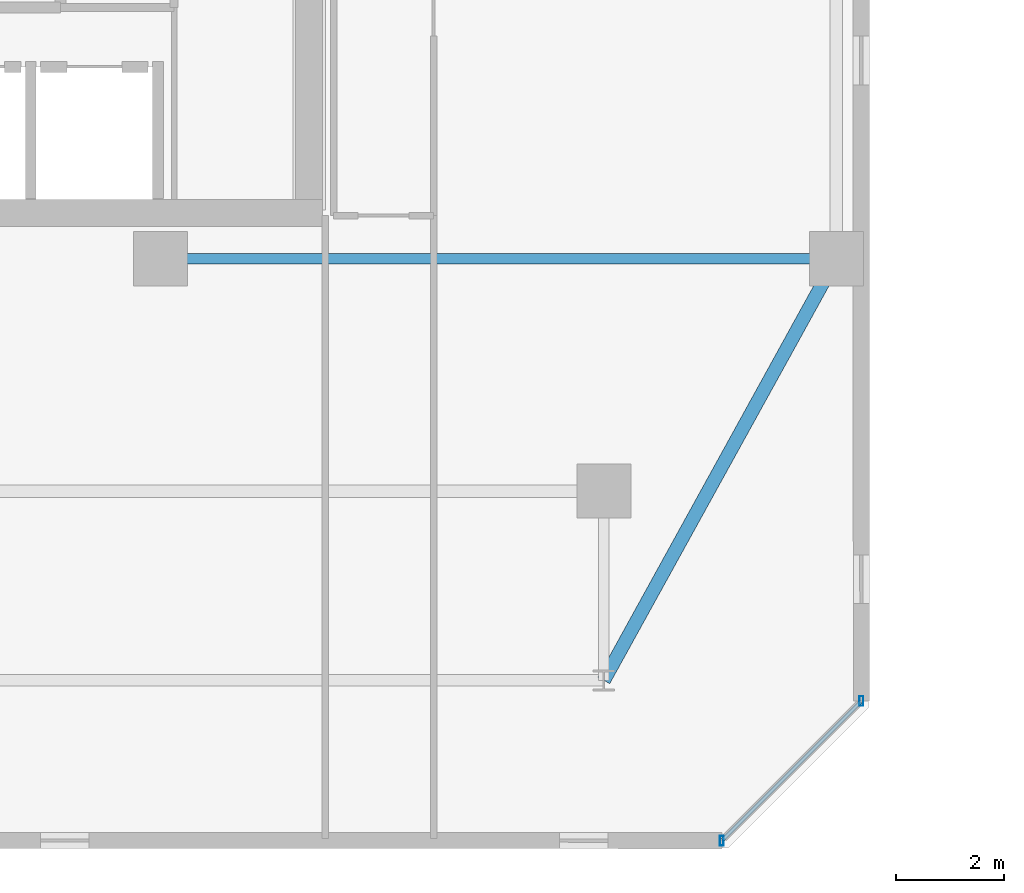
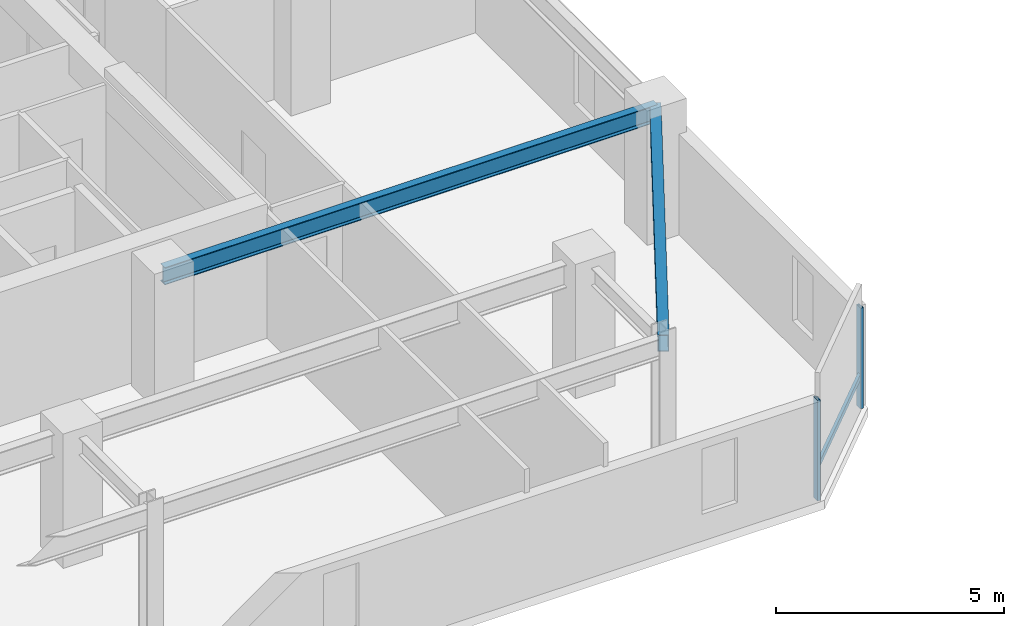
# One storey, part 5 of 32: 3 members, 2 beams, 1 element without a shape of its own.
"""IFC4 building model written with IfcOpenShell, lengths in metres."""

from ifc_helpers import new_model, si_unit, direction, frame, origin, origin_2d, place, context, subcontext, project, spatial, hollow_rectangle, i_section, extrude, material, material_profile, profile_set, type_object, element, aggregate, save


model = new_model("IFC4")

# Units and contexts
model_context = context("Model", 3, precision=1e-05, world=origin(), true_north=direction((0.0, 1.0)))
body_context = subcontext(model_context, "Body", "Model", "MODEL_VIEW")
ifc_project = project(units=[si_unit("LENGTHUNIT", "METRE"), si_unit("AREAUNIT", "SQUARE_METRE"), si_unit("VOLUMEUNIT", "CUBIC_METRE"), si_unit("PLANEANGLEUNIT", "RADIAN"), si_unit("MASSUNIT", "GRAM", prefix="KILO")], contexts=[model_context])

# Site, building, storey
site_placement = place(None, origin())
site = spatial("IfcSite", under=ifc_project, at=site_placement, CompositionType="ELEMENT")
building_placement = place(site_placement, origin())
building = spatial("IfcBuilding", under=site, at=building_placement, Name="Thornwick Lancets Civic Towers", CompositionType="ELEMENT")
storey_placement = place(building_placement, frame((0.0, 0.0, 240.300048828125)))
storey = spatial("IfcBuildingStorey", under=building, at=storey_placement, Name="L64", CompositionType="ELEMENT", Elevation=240.300048828125)

# Beams
ifc_material_1 = material(Name="Steel S355JR", Category="steel")
ifc_material_profile_1 = material_profile(ifc_material_1, i_section(OverallWidth=0.19287109375, OverallDepth=0.46728515625, WebThickness=0.011474609375, FlangeThickness=0.01953125, FilletRadius=0.01025390625, at=origin_2d()), Name="UKB 457x191x98")
ifc_profile_set_1 = profile_set([ifc_material_profile_1], Name="Steel S355JR")
beam_type_1 = type_object("IfcBeamType", Name="BM_JOIST_457_98", PredefinedType="JOIST", material=ifc_profile_set_1)
beam_1_placement = place(storey_placement, frame((30.300048828125, 14.0, 3.12646484375), z_axis=(1.0, 0.0, 0.0), x_axis=(0.0, 1.0, 0.0)))
element("IfcBeam", 1, at=beam_1_placement, inside=storey, type_object=beam_type_1, Name="BM-RADIN-L64-A04", PredefinedType="JOIST", context=body_context, shape_type="SweptSolid", body=[
    extrude(i_section(OverallWidth=0.19287109375, OverallDepth=0.46728515625, WebThickness=0.011474609375, FlangeThickness=0.01953125, FilletRadius=0.01025390625, at=origin_2d()), origin(), (0.0, 0.0, 1.0), 12.5),
])
ifc_material_profile_2 = material_profile(ifc_material_1, hollow_rectangle(XDim=0.25, YDim=0.449951171875, WallThickness=0.01611328125, at=origin_2d()), Name="RHS 450x250x16")
ifc_profile_set_2 = profile_set([ifc_material_profile_2], Name="Steel S355JR")
beam_type_2 = type_object("IfcBeamType", Name="BM_RING_RHS450", PredefinedType="BEAM", material=ifc_profile_set_2)
beam_2_placement = place(storey_placement, frame((38.5, 6.199951171875, 3.135009765625), z_axis=(0.482782395749, 0.875740348708, 0.0), x_axis=(-0.875740348708, 0.482782395749, 0.0)))
element("IfcBeam", 2, at=beam_2_placement, inside=storey, type_object=beam_type_2, Name="BM-CHAMF-L64-A-C0", PredefinedType="BEAM", context=body_context, shape_type="SweptSolid", body=[
    extrude(hollow_rectangle(XDim=0.25, YDim=0.449951171875, WallThickness=0.01611328125, at=origin_2d()), origin(), (0.0, 0.0, 1.0), 8.90673828125),
])

# Curtain wall, members
ifc_material_2 = material(Name="High-zone chamfered-corner unitised glass curtain wall", Category="glass")
curtain_wall_type = type_object("IfcCurtainWallType", Name="CW_SYS_05", PredefinedType="NOTDEFINED", material=ifc_material_2)
curtain_wall_placement = place(storey_placement, origin())
curtain_wall = element("IfcCurtainWall", 3, at=curtain_wall_placement, inside=storey, type_object=curtain_wall_type, Name="L64 Curtain Wall CW-L64-A-E1", PredefinedType="NOTDEFINED")
ifc_material_3 = material(Name="Thermally broken bronze aluminium S355", Category="steel")
ifc_material_profile_3 = material_profile(ifc_material_3, hollow_rectangle(XDim=0.074951171875, YDim=0.179931640625, WallThickness=0.006103515625, at=origin_2d()), Name="RHS 180x75x6")
ifc_profile_set_3 = profile_set([ifc_material_profile_3], Name="Thermally broken bronze aluminium S355")
member_type_1 = type_object("IfcMemberType", Name="CW_MUL_180", PredefinedType="MULLION", material=ifc_profile_set_3)
member_1_placement = place(storey_placement, frame((40.681396484375, 3.2353515625, 0.0), z_axis=(0.0, 0.0, 1.0), x_axis=(1.0, 0.0, 0.0)))
member_1 = element("IfcMember", 4, at=member_1_placement, type_object=member_type_1, Name="CW-L64-A-E1 Mullion 0", PredefinedType="MULLION", context=body_context, shape_type="SweptSolid", body=[
    extrude(hollow_rectangle(XDim=0.074951171875, YDim=0.179931640625, WallThickness=0.006103515625, at=origin_2d()), origin(), (0.0, 0.0, 1.0), 2.699951171875),
])
member_2_placement = place(storey_placement, frame((43.2646484375, 5.818603515625, 0.0), z_axis=(0.0, 0.0, 1.0), x_axis=(1.0, 0.0, 0.0)))
member_2 = element("IfcMember", 5, at=member_2_placement, type_object=member_type_1, Name="CW-L64-A-E1 Mullion 1", PredefinedType="MULLION", context=body_context, shape_type="SweptSolid", body=[
    extrude(hollow_rectangle(XDim=0.074951171875, YDim=0.179931640625, WallThickness=0.006103515625, at=origin_2d()), origin(), (0.0, 0.0, 1.0), 2.699951171875),
])
ifc_material_profile_4 = material_profile(ifc_material_3, hollow_rectangle(XDim=0.074951171875, YDim=0.14990234375, WallThickness=0.0048828125, at=origin_2d()), Name="RHS 150x75x5")
ifc_profile_set_4 = profile_set([ifc_material_profile_4], Name="Thermally broken bronze aluminium S355")
member_type_2 = type_object("IfcMemberType", Name="CW_TRN_150", PredefinedType="USERDEFINED", material=ifc_profile_set_4)
member_3_placement = place(storey_placement, frame((40.695556640625, 3.24951171875, 0.849853515625), z_axis=(0.707106781187, 0.707106781187, 0.0), x_axis=(-0.707106781187, 0.707106781187, 0.0)))
member_3 = element("IfcMember", 6, at=member_3_placement, type_object=member_type_2, Name="CW-L64-A-E1 Transom 0", ObjectType="TRANSOM", PredefinedType="USERDEFINED", context=body_context, shape_type="SweptSolid", body=[
    extrude(hollow_rectangle(XDim=0.074951171875, YDim=0.14990234375, WallThickness=0.0048828125, at=origin_2d()), origin(), (0.0, 0.0, 1.0), 3.61328125),
])
aggregate(curtain_wall, [member_1, member_2, member_3])

save(model, "model.ifc")
